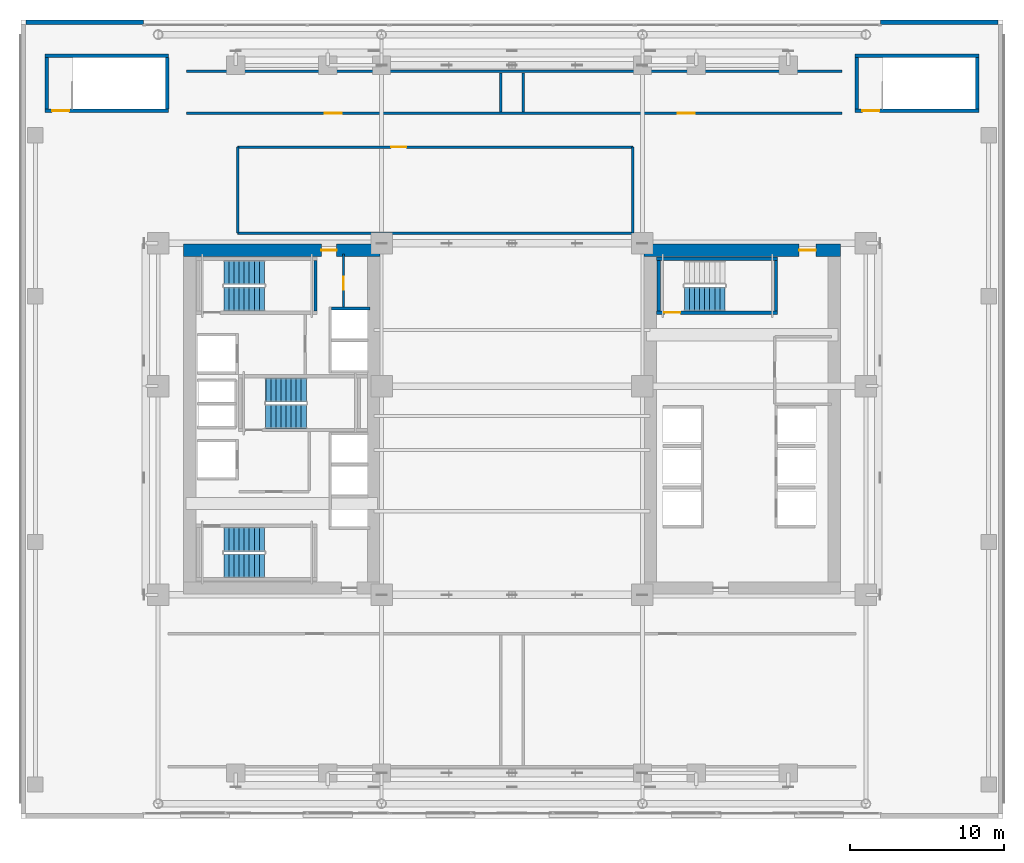
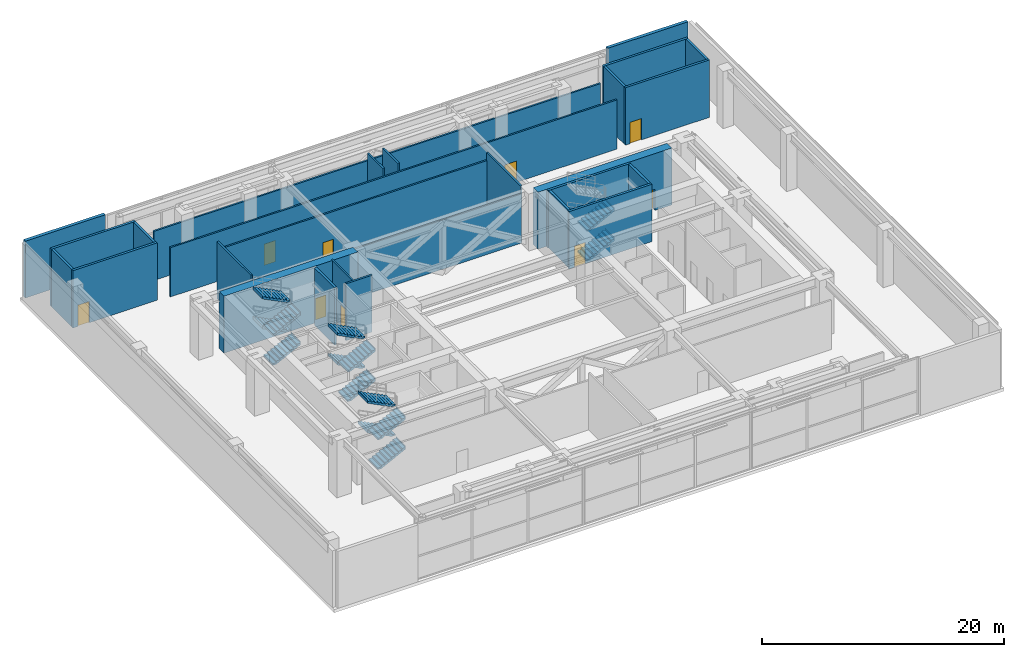
# One storey, part 23 of 29: 27 walls, 14 stair flights, 9 doors, 9 openings, 4 elements without a shape of their own.
"""IFC4 building model written with IfcOpenShell, lengths in metres."""

from ifc_helpers import new_model, si_unit, direction, frame, frame_2d, origin, place, context, subcontext, project, spatial, polyline, rectangle, outline, extrude, source, transform, mapped, material, layer, layer_set, type_object, element, fill, aggregate, save


model = new_model("IFC4")

# Units and contexts
model_context = context("Model", 3, precision=1e-05, world=origin(), true_north=direction((0.0, 1.0)))
body_context = subcontext(model_context, "Body", "Model", "MODEL_VIEW")
ifc_project = project(units=[si_unit("LENGTHUNIT", "METRE"), si_unit("AREAUNIT", "SQUARE_METRE"), si_unit("VOLUMEUNIT", "CUBIC_METRE"), si_unit("PLANEANGLEUNIT", "RADIAN"), si_unit("MASSUNIT", "GRAM", prefix="KILO")], contexts=[model_context])

# Site, building, storey
site_placement = place(None, origin())
site = spatial("IfcSite", under=ifc_project, at=site_placement, CompositionType="ELEMENT")
building_placement = place(site_placement, origin())
building = spatial("IfcBuilding", under=site, at=building_placement, Name="Ocotamira Hotel", CompositionType="ELEMENT")
storey_placement = place(building_placement, frame((0.0, 0.0, 28.800048828125)))
storey = spatial("IfcBuildingStorey", under=building, at=storey_placement, Name="L06", CompositionType="ELEMENT", Elevation=28.800048828125)

# Wall, opening, door
ifc_material_1 = material(Name="Concrete C60/75", Category="concrete")
ifc_layer_1 = layer(ifc_material_1, 0.800048828125)
ifc_layer_set_1 = layer_set([ifc_layer_1], Name="Concrete C60/75")
wall_type_1 = type_object("IfcWallType", Name="WL-CORE-800", PredefinedType="SHEAR", material=ifc_layer_set_1)
wall_1_placement = place(storey_placement, frame((10.60009765625, 37.0, 0.0), z_axis=(0.0, 0.0, 1.0), x_axis=(1.0, 0.0, 0.0)))
wall_1 = element("IfcWall", 1, at=wall_1_placement, inside=storey, type_object=wall_type_1, Name="L06 Shear Core Wall WCORE-N", PredefinedType="SHEAR", context=body_context, shape_type="SweptSolid", body=[
    extrude(rectangle(XDim=12.7998046875, YDim=0.800048828125, at=frame_2d((6.39990234375, 0.0))), origin(), (0.0, 0.0, 1.0), 5.75),
])
opening_1_placement = place(wall_1_placement, frame((8.97998046875, 0.0, 0.0)))
opening_1 = element("IfcOpeningElement", 2, at=opening_1_placement, cuts=wall_1, Name="Opening D-FR2", PredefinedType="OPENING", context=body_context, shape_type="SweptSolid", body=[
    extrude(rectangle(XDim=1.0, YDim=2.14990234375, at=frame_2d((0.5, 1.074951171875))), frame((0.0, 0.41015625, 0.0), z_axis=(0.0, -1.0, 0.0), x_axis=(1.0, 0.0, 0.0)), (0.0, 0.0, 1.0), 0.820068359375),
])
ifc_material_2 = material(Name="Fire-rated acoustic timber-veneer door", Category="wood")
door_type_1 = type_object("IfcDoorType", Name="DR-FIRE-1000", OperationType="NOTDEFINED", PredefinedType="DOOR", material=ifc_material_2)
shared_shape_1 = source(origin(), body_context, "Body", "SweptSolid", [
    extrude(rectangle(XDim=1.0, YDim=2.14990234375, at=frame_2d((0.5, 1.074951171875))), frame((0.0, 0.02490234375, 0.0), z_axis=(0.0, -1.0, 0.0), x_axis=(1.0, 0.0, 0.0)), (0.0, 0.0, 1.0), 0.050048828125),
])
door_1_placement = place(opening_1_placement, origin())
door_1 = element("IfcDoor", 3, at=door_1_placement, inside=storey, type_object=door_type_1, Name="L06 Door ID-L06-WLOB-N-D [ID-L06-WLOB-N-D]", OperationType="SINGLE_SWING_RIGHT", OverallHeight=2.14990234375, OverallWidth=1.0, PredefinedType="DOOR", context=body_context, shape_type="MappedRepresentation", body=[
    mapped(shared_shape_1, transform((0.0, 0.0, 0.0), scale=1.0)),
])
fill(opening_1, door_1)

wall_2_placement = place(storey_placement, frame((40.60009765625, 37.0, 0.0), z_axis=(0.0, 0.0, 1.0), x_axis=(1.0, 0.0, 0.0)))
wall_2 = element("IfcWall", 4, at=wall_2_placement, inside=storey, type_object=wall_type_1, Name="L06 Shear Core Wall ECORE-N", PredefinedType="SHEAR", context=body_context, shape_type="SweptSolid", body=[
    extrude(rectangle(XDim=12.7998046875, YDim=0.800048828125, at=frame_2d((6.39990234375, 0.0))), origin(), (0.0, 0.0, 1.0), 5.75),
])
opening_2_placement = place(wall_2_placement, frame((10.10009765625, 0.0, 0.0)))
opening_2 = element("IfcOpeningElement", 5, at=opening_2_placement, cuts=wall_2, Name="Opening D-FR1", PredefinedType="OPENING", context=body_context, shape_type="SweptSolid", body=[
    extrude(rectangle(XDim=1.10009765625, YDim=2.14990234375, at=frame_2d((0.550048828125, 1.074951171875))), frame((0.0, 0.41015625, 0.0), z_axis=(0.0, -1.0, 0.0), x_axis=(1.0, 0.0, 0.0)), (0.0, 0.0, 1.0), 0.820068359375),
])
door_type_2 = type_object("IfcDoorType", Name="DR-FIRE-1100", OperationType="NOTDEFINED", PredefinedType="DOOR", material=ifc_material_2)
shared_shape_2 = source(origin(), body_context, "Body", "SweptSolid", [
    extrude(rectangle(XDim=1.10009765625, YDim=2.14990234375, at=frame_2d((0.550048828125, 1.074951171875))), frame((0.0, 0.02490234375, 0.0), z_axis=(0.0, -1.0, 0.0), x_axis=(1.0, 0.0, 0.0)), (0.0, 0.0, 1.0), 0.050048828125),
])
door_2_placement = place(opening_2_placement, origin())
door_2 = element("IfcDoor", 6, at=door_2_placement, inside=storey, type_object=door_type_2, Name="L06 Door ID-L06-ELOB-N-D [ID-L06-ELOB-N-D]", OperationType="SINGLE_SWING_LEFT", OverallHeight=2.14990234375, OverallWidth=1.10009765625, PredefinedType="DOOR", context=body_context, shape_type="MappedRepresentation", body=[
    mapped(shared_shape_2, transform((0.0, 0.0, 0.0), scale=1.0)),
])
fill(opening_2, door_2)

# Walls
ifc_material_3 = material(Name="Travertine-clad precast concrete C45/55", Category="masonry")
ifc_layer_2 = layer(ifc_material_3, 0.300048828125)
ifc_layer_set_2 = layer_set([ifc_layer_2], Name="Travertine-clad precast concrete C45/55")
wall_type_2 = type_object("IfcWallType", Name="WL-EXT-POD-300", PredefinedType="SOLIDWALL", material=ifc_layer_set_2)
for number, where, z_axis, x_axis, name in (
    (7, (0.35009765625, 51.85009765625, 0.0), (0.0, 0.0, 1.0), (1.0, 0.0, 0.0), "L06 Podium Perimeter Wall N1"),
    (8, (56.0, 51.85009765625, 0.0), (0.0, 0.0, 1.0), (1.0, 0.0, 0.0), "L06 Podium Perimeter Wall N2"),
):
    element("IfcWall", number, at=place(storey_placement, frame(where, z_axis=z_axis, x_axis=x_axis)), inside=storey, type_object=wall_type_2, Name=name, PredefinedType="SOLIDWALL", context=body_context, shape_type="SweptSolid", body=[
        extrude(rectangle(XDim=7.64990234375, YDim=0.300048828125, at=frame_2d((3.824951171875, 0.0))), origin(), (0.0, 0.0, 1.0), 5.75),
    ])
ifc_material_4 = material(Name="Acoustic double-layer fire gypsum board partition", Category="gypsum")
ifc_layer_3 = layer(ifc_material_4, 0.159912109375)
ifc_layer_set_3 = layer_set([ifc_layer_3], Name="Acoustic double-layer fire gypsum board partition")
wall_type_3 = type_object("IfcWallType", Name="WL-FIRE-160", PredefinedType="PARTITIONING", material=ifc_layer_set_3)
wall_3_placement = place(storey_placement, frame((14.1201171875, 38.1201171875, 0.0), z_axis=(0.0, 0.0, 1.0), x_axis=(1.0, 0.0, 0.0)))
element("IfcWall", 9, at=wall_3_placement, inside=storey, type_object=wall_type_3, Name="L06 Interior Wall PW-L06-L06-BMSS", PredefinedType="PARTITIONING", context=body_context, shape_type="SweptSolid", body=[
    extrude(rectangle(XDim=25.759765625, YDim=0.159912109375, at=frame_2d((12.8798828125, 0.0))), origin(), (0.0, 0.0, 1.0), 4.970947265625),
])
for number, where, z_axis, x_axis, name in (
    (10, (14.1201171875, 38.1201171875, 0.0), (0.0, 0.0, 1.0), (0.0, 1.0, 0.0), "L06 Interior Wall PW-L06-L06-BMSW"),
    (11, (39.8798828125, 38.1201171875, 0.0), (0.0, 0.0, 1.0), (0.0, 1.0, 0.0), "L06 Interior Wall PW-L06-L06-BMSE"),
):
    element("IfcWall", number, at=place(storey_placement, frame(where, z_axis=z_axis, x_axis=x_axis)), inside=storey, type_object=wall_type_3, Name=name, PredefinedType="PARTITIONING", context=body_context, shape_type="SweptSolid", body=[
        extrude(rectangle(XDim=5.599853515625, YDim=0.159912109375, at=frame_2d((2.7998046875, 0.0))), origin(), (0.0, 0.0, 1.0), 5.75),
    ])

# Wall, opening, door
wall_4_placement = place(storey_placement, frame((14.1201171875, 43.719970703125, 0.0), z_axis=(0.0, 0.0, 1.0), x_axis=(1.0, 0.0, 0.0)))
wall_4 = element("IfcWall", 12, at=wall_4_placement, inside=storey, type_object=wall_type_3, Name="L06 Interior Wall PW-L06-L06-BMSN", PredefinedType="PARTITIONING", context=body_context, shape_type="SweptSolid", body=[
    extrude(rectangle(XDim=25.759765625, YDim=0.159912109375, at=frame_2d((12.8798828125, 0.0))), origin(), (0.0, 0.0, 1.0), 4.970947265625),
])
opening_3_placement = place(wall_4_placement, frame((10.0, 0.0, 0.0)))
opening_3 = element("IfcOpeningElement", 13, at=opening_3_placement, cuts=wall_4, Name="Opening D-FR2", PredefinedType="OPENING", context=body_context, shape_type="SweptSolid", body=[
    extrude(rectangle(XDim=1.0, YDim=2.14990234375, at=frame_2d((0.5, 1.074951171875))), frame((0.0, 0.08984375, 0.0), z_axis=(0.0, -1.0, 0.0), x_axis=(1.0, 0.0, 0.0)), (0.0, 0.0, 1.0), 0.179931640625),
])
door_3_placement = place(opening_3_placement, origin())
door_3 = element("IfcDoor", 14, at=door_3_placement, inside=storey, type_object=door_type_1, Name="L06 Door ID-L06-L06-BMSD [ID-L06-L06-BMSD]", OperationType="SINGLE_SWING_RIGHT", OverallHeight=2.14990234375, OverallWidth=1.0, PredefinedType="DOOR", context=body_context, shape_type="MappedRepresentation", body=[
    mapped(shared_shape_1, transform((0.0, 0.0, 0.0), scale=1.0)),
])
fill(opening_3, door_3)

# Walls
wall_5_placement = place(storey_placement, frame((10.800048828125, 48.64990234375, 0.0), z_axis=(0.0, 0.0, 1.0), x_axis=(1.0, 0.0, 0.0)))
element("IfcWall", 15, at=wall_5_placement, inside=storey, type_object=wall_type_3, Name="L06 Interior Wall PW-L06-L06-NTRS-WALL", PredefinedType="PARTITIONING", context=body_context, shape_type="SweptSolid", body=[
    extrude(rectangle(XDim=42.699951171875, YDim=0.159912109375, at=frame_2d((21.35009765625, 0.0))), origin(), (0.0, 0.0, 1.0), 4.970947265625),
])
for number, where, z_axis, x_axis, name in (
    (16, (31.280029296875, 46.0, 0.0), (0.0, 0.0, 1.0), (0.0, 1.0, 0.0), "L06 Interior Wall PW-L06-L06-NDIV1"),
    (17, (32.719970703125, 46.0, 0.0), (0.0, 0.0, 1.0), (0.0, 1.0, 0.0), "L06 Interior Wall PW-L06-L06-NDIV2"),
):
    element("IfcWall", number, at=place(storey_placement, frame(where, z_axis=z_axis, x_axis=x_axis)), inside=storey, type_object=wall_type_3, Name=name, PredefinedType="PARTITIONING", context=body_context, shape_type="SweptSolid", body=[
        extrude(rectangle(XDim=2.550048828125, YDim=0.159912109375, at=frame_2d((1.27490234375, 0.0))), origin(), (0.0, 0.0, 1.0), 5.75),
    ])

# Wall, openings, doors
wall_6_placement = place(storey_placement, frame((10.800048828125, 45.919921875, 0.0), z_axis=(0.0, 0.0, 1.0), x_axis=(1.0, 0.0, 0.0)))
wall_6 = element("IfcWall", 18, at=wall_6_placement, inside=storey, type_object=wall_type_3, Name="L06 Interior Wall PW-L06-L06-NWALL", PredefinedType="PARTITIONING", context=body_context, shape_type="SweptSolid", body=[
    extrude(rectangle(XDim=42.699951171875, YDim=0.159912109375, at=frame_2d((21.35009765625, 0.0))), origin(), (0.0, 0.0, 1.0), 4.970947265625),
])
opening_4_placement = place(wall_6_placement, frame((9.0, 0.0, 0.0)))
opening_4 = element("IfcOpeningElement", 19, at=opening_4_placement, cuts=wall_6, Name="Opening D-FR1", PredefinedType="OPENING", context=body_context, shape_type="SweptSolid", body=[
    extrude(rectangle(XDim=1.10009765625, YDim=2.14990234375, at=frame_2d((0.550048828125, 1.074951171875))), frame((0.0, 0.08984375, 0.0), z_axis=(0.0, -1.0, 0.0), x_axis=(1.0, 0.0, 0.0)), (0.0, 0.0, 1.0), 0.179931640625),
])
opening_5_placement = place(wall_6_placement, frame((32.0, 0.0, 0.0)))
opening_5 = element("IfcOpeningElement", 20, at=opening_5_placement, cuts=wall_6, Name="Opening D-FR1", PredefinedType="OPENING", context=body_context, shape_type="SweptSolid", body=[
    extrude(rectangle(XDim=1.10009765625, YDim=2.14990234375, at=frame_2d((0.550048828125, 1.074951171875))), frame((0.0, 0.08984375, 0.0), z_axis=(0.0, -1.0, 0.0), x_axis=(1.0, 0.0, 0.0)), (0.0, 0.0, 1.0), 0.179931640625),
])
door_4_placement = place(opening_4_placement, origin())
door_4 = element("IfcDoor", 21, at=door_4_placement, inside=storey, type_object=door_type_2, Name="L06 Door ID-L06-L06-ELD [ID-L06-L06-ELD]", OperationType="SINGLE_SWING_LEFT", OverallHeight=2.14990234375, OverallWidth=1.10009765625, PredefinedType="DOOR", context=body_context, shape_type="MappedRepresentation", body=[
    mapped(shared_shape_2, transform((0.0, 0.0, 0.0), scale=1.0)),
])
fill(opening_4, door_4)
door_5_placement = place(opening_5_placement, origin())
door_5 = element("IfcDoor", 22, at=door_5_placement, inside=storey, type_object=door_type_2, Name="L06 Door ID-L06-L06-HWD [ID-L06-L06-HWD]", OperationType="SINGLE_SWING_RIGHT", OverallHeight=2.14990234375, OverallWidth=1.10009765625, PredefinedType="DOOR", context=body_context, shape_type="MappedRepresentation", body=[
    mapped(shared_shape_2, transform((0.0, 0.0, 0.0), scale=1.0)),
])
fill(opening_5, door_5)

# Wall, opening, door
ifc_material_5 = material(Name="Acoustic hospitality gypsum board partition", Category="gypsum")
ifc_layer_4 = layer(ifc_material_5, 0.14208984375)
ifc_layer_set_4 = layer_set([ifc_layer_4], Name="Acoustic hospitality gypsum board partition")
wall_type_4 = type_object("IfcWallType", Name="WL-PART-142", PredefinedType="PARTITIONING", material=ifc_layer_set_4)
wall_7_placement = place(storey_placement, frame((21.02001953125, 33.280029296875, 0.0), z_axis=(0.0, 0.0, 1.0), x_axis=(0.0, 1.0, 0.0)))
wall_7 = element("IfcWall", 23, at=wall_7_placement, inside=storey, type_object=wall_type_4, Name="L06 Interior Wall PW-L06-WC-NE-W", PredefinedType="PARTITIONING", context=body_context, shape_type="SweptSolid", body=[
    extrude(rectangle(XDim=3.469970703125, YDim=0.14208984375, at=frame_2d((1.73486328125, 0.0))), origin(), (0.0, 0.0, 1.0), 5.75),
])
opening_6_placement = place(wall_7_placement, frame((1.14990234375, 0.0, 0.0)))
opening_6 = element("IfcOpeningElement", 24, at=opening_6_placement, cuts=wall_7, Name="Opening D-SV1", PredefinedType="OPENING", context=body_context, shape_type="SweptSolid", body=[
    extrude(rectangle(XDim=0.840087890625, YDim=2.10009765625, at=frame_2d((0.419921875, 1.050048828125))), frame((0.0, 0.0810546875, 0.0), z_axis=(0.0, -1.0, 0.0), x_axis=(1.0, 0.0, 0.0)), (0.0, 0.0, 1.0), 0.162109375),
])
ifc_material_6 = material(Name="Fire-rated painted steel service door", Category="steel")
door_type_3 = type_object("IfcDoorType", Name="DR-SERV-840", OperationType="NOTDEFINED", PredefinedType="DOOR", material=ifc_material_6)
shared_shape_3 = source(origin(), body_context, "Body", "SweptSolid", [
    extrude(rectangle(XDim=0.840087890625, YDim=2.10009765625, at=frame_2d((0.419921875, 1.050048828125))), frame((0.0, 0.02490234375, 0.0), z_axis=(0.0, -1.0, 0.0), x_axis=(1.0, 0.0, 0.0)), (0.0, 0.0, 1.0), 0.050048828125),
])
door_6_placement = place(opening_6_placement, origin())
door_6 = element("IfcDoor", 25, at=door_6_placement, inside=storey, type_object=door_type_3, Name="L06 Door ID-L06-WC-NE-D [ID-L06-WC-NE-D]", OperationType="SINGLE_SWING_LEFT", OverallHeight=2.10009765625, OverallWidth=0.840087890625, PredefinedType="DOOR", context=body_context, shape_type="MappedRepresentation", body=[
    mapped(shared_shape_3, transform((0.0, 0.0, 0.0), scale=1.0)),
])
fill(opening_6, door_6)

# Walls
ifc_material_7 = material(Name="Fire-rated gypsum shaftliner board assembly", Category="gypsum")
ifc_layer_5 = layer(ifc_material_7, 0.179931640625)
ifc_layer_set_5 = layer_set([ifc_layer_5], Name="Fire-rated gypsum shaftliner board assembly")
wall_type_5 = type_object("IfcWallType", Name="WL-SHAFT-180", PredefinedType="SOLIDWALL", material=ifc_layer_set_5)
wall_8_placement = place(storey_placement, frame((20.25, 33.199951171875, 0.0), z_axis=(0.0, 0.0, 1.0), x_axis=(1.0, 0.0, 0.0)))
element("IfcWall", 26, at=wall_8_placement, inside=storey, type_object=wall_type_5, Name="L06 Interior Wall PW-L06-LFW-BANK-obs-N", PredefinedType="SOLIDWALL", context=body_context, shape_type="SweptSolid", body=[
    extrude(rectangle(XDim=2.5, YDim=0.179931640625, at=frame_2d((1.25, 0.0))), origin(), (0.0, 0.0, 1.0), 5.75),
])
ifc_material_8 = material(Name="Concrete C50/60", Category="concrete")
ifc_layer_6 = layer(ifc_material_8, 0.219970703125)
ifc_layer_set_6 = layer_set([ifc_layer_6], Name="Concrete C50/60")
wall_type_6 = type_object("IfcWallType", Name="WL-STAIR-220", PredefinedType="SHEAR", material=ifc_layer_set_6)
wall_9_placement = place(storey_placement, frame((19.199951171875, 33.050048828125, 0.0), z_axis=(0.0, 0.0, 1.0), x_axis=(0.0, 1.0, 0.0)))
element("IfcWall", 27, at=wall_9_placement, inside=storey, type_object=wall_type_6, Name="L06 Stair Shaft Structural Wall ST-2-E", PredefinedType="SHEAR", context=body_context, shape_type="SweptSolid", body=[
    extrude(rectangle(XDim=3.280029296875, YDim=0.219970703125, at=frame_2d((1.64013671875, 0.0))), origin(), (0.0, 0.0, 1.0), 5.800048828125),
])

# Wall, opening, door
wall_10_placement = place(storey_placement, frame((41.39990234375, 32.93994140625, 0.0), z_axis=(0.0, 0.0, 1.0), x_axis=(1.0, 0.0, 0.0)))
wall_10 = element("IfcWall", 28, at=wall_10_placement, inside=storey, type_object=wall_type_6, Name="L06 Stair Shaft Structural Wall ST-4-S", PredefinedType="SHEAR", context=body_context, shape_type="SweptSolid", body=[
    extrude(rectangle(XDim=7.91015625, YDim=0.219970703125, at=frame_2d((3.955078125, 0.0))), origin(), (0.0, 0.0, 1.0), 5.800048828125),
])
opening_7_placement = place(wall_10_placement, frame((0.52001953125, 0.0, 0.0)))
opening_7 = element("IfcOpeningElement", 29, at=opening_7_placement, cuts=wall_10, Name="Opening D-ST2", PredefinedType="OPENING", context=body_context, shape_type="SweptSolid", body=[
    extrude(rectangle(XDim=1.050048828125, YDim=2.14990234375, at=frame_2d((0.52490234375, 1.074951171875))), frame((0.0, 0.1201171875, 0.0), z_axis=(0.0, -1.0, 0.0), x_axis=(1.0, 0.0, 0.0)), (0.0, 0.0, 1.0), 0.239990234375),
])
ifc_material_9 = material(Name="Insulated painted hollow-metal fire exit door", Category="steel")
door_type_4 = type_object("IfcDoorType", Name="DR-STAIR-1050", OperationType="NOTDEFINED", PredefinedType="DOOR", material=ifc_material_9)
shared_shape_4 = source(origin(), body_context, "Body", "SweptSolid", [
    extrude(rectangle(XDim=1.050048828125, YDim=2.14990234375, at=frame_2d((0.52490234375, 1.074951171875))), frame((0.0, 0.02490234375, 0.0), z_axis=(0.0, -1.0, 0.0), x_axis=(1.0, 0.0, 0.0)), (0.0, 0.0, 1.0), 0.050048828125),
])
door_7_placement = place(opening_7_placement, origin())
door_7 = element("IfcDoor", 30, at=door_7_placement, inside=storey, type_object=door_type_4, Name="L06 Door ID-L06-STD-ST-4 [ID-L06-STD-ST-4]", OperationType="SINGLE_SWING_RIGHT", OverallHeight=2.14990234375, OverallWidth=1.050048828125, PredefinedType="DOOR", context=body_context, shape_type="MappedRepresentation", body=[
    mapped(shared_shape_4, transform((0.0, 0.0, 0.0), scale=1.0)),
])
fill(opening_7, door_7)

# Walls
wall_11_placement = place(storey_placement, frame((41.39990234375, 36.43994140625, 0.0), z_axis=(0.0, 0.0, 1.0), x_axis=(1.0, 0.0, 0.0)))
element("IfcWall", 31, at=wall_11_placement, inside=storey, type_object=wall_type_6, Name="L06 Stair Shaft Structural Wall ST-4-N", PredefinedType="SHEAR", context=body_context, shape_type="SweptSolid", body=[
    extrude(rectangle(XDim=7.91015625, YDim=0.219970703125, at=frame_2d((3.955078125, 0.0))), origin(), (0.0, 0.0, 1.0), 5.800048828125),
])
for number, where, z_axis, x_axis, name in (
    (32, (41.56005859375, 33.050048828125, 0.0), (0.0, 0.0, 1.0), (0.0, 1.0, 0.0), "L06 Stair Shaft Structural Wall ST-4-W"),
    (33, (49.199951171875, 33.050048828125, 0.0), (0.0, 0.0, 1.0), (0.0, 1.0, 0.0), "L06 Stair Shaft Structural Wall ST-4-E"),
):
    element("IfcWall", number, at=place(storey_placement, frame(where, z_axis=z_axis, x_axis=x_axis)), inside=storey, type_object=wall_type_6, Name=name, PredefinedType="SHEAR", context=body_context, shape_type="SweptSolid", body=[
        extrude(rectangle(XDim=3.280029296875, YDim=0.219970703125, at=frame_2d((1.64013671875, 0.0))), origin(), (0.0, 0.0, 1.0), 5.800048828125),
    ])

# Wall, opening, door
wall_12_placement = place(storey_placement, frame((1.580078125, 46.090087890625, 0.0), z_axis=(0.0, 0.0, 1.0), x_axis=(1.0, 0.0, 0.0)))
wall_12 = element("IfcWall", 34, at=wall_12_placement, inside=storey, type_object=wall_type_6, Name="L06 Stair Shaft Structural Wall ST-5-S", PredefinedType="SHEAR", context=body_context, shape_type="SweptSolid", body=[
    extrude(rectangle(XDim=8.059814453125, YDim=0.219970703125, at=frame_2d((4.02978515625, 0.0))), origin(), (0.0, 0.0, 1.0), 5.800048828125),
])
opening_8_placement = place(wall_12_placement, frame((0.469970703125, 0.0, 0.0)))
opening_8 = element("IfcOpeningElement", 35, at=opening_8_placement, cuts=wall_12, Name="Opening D-ST1", PredefinedType="OPENING", context=body_context, shape_type="SweptSolid", body=[
    extrude(rectangle(XDim=1.10009765625, YDim=2.14990234375, at=frame_2d((0.550048828125, 1.074951171875))), frame((0.0, 0.1201171875, 0.0), z_axis=(0.0, -1.0, 0.0), x_axis=(1.0, 0.0, 0.0)), (0.0, 0.0, 1.0), 0.239990234375),
])
door_type_5 = type_object("IfcDoorType", Name="DR-STAIR-1100", OperationType="NOTDEFINED", PredefinedType="DOOR", material=ifc_material_9)
door_8_placement = place(opening_8_placement, origin())
door_8 = element("IfcDoor", 36, at=door_8_placement, inside=storey, type_object=door_type_5, Name="L06 Door ID-L06-STD-ST-5 [ID-L06-STD-ST-5]", OperationType="SINGLE_SWING_LEFT", OverallHeight=2.14990234375, OverallWidth=1.10009765625, PredefinedType="DOOR", context=body_context, shape_type="MappedRepresentation", body=[
    mapped(shared_shape_2, transform((0.0, 0.0, 0.0), scale=1.0)),
])
fill(opening_8, door_8)

# Walls
wall_13_placement = place(storey_placement, frame((1.580078125, 49.669921875, 0.0), z_axis=(0.0, 0.0, 1.0), x_axis=(1.0, 0.0, 0.0)))
element("IfcWall", 37, at=wall_13_placement, inside=storey, type_object=wall_type_6, Name="L06 Stair Shaft Structural Wall ST-5-N", PredefinedType="SHEAR", context=body_context, shape_type="SweptSolid", body=[
    extrude(rectangle(XDim=8.059814453125, YDim=0.219970703125, at=frame_2d((4.02978515625, 0.0))), origin(), (0.0, 0.0, 1.0), 5.800048828125),
])
for number, where, z_axis, x_axis, name in (
    (38, (1.68994140625, 46.199951171875, 0.0), (0.0, 0.0, 1.0), (0.0, 1.0, 0.0), "L06 Stair Shaft Structural Wall ST-5-W"),
    (39, (9.530029296875, 46.199951171875, 0.0), (0.0, 0.0, 1.0), (0.0, 1.0, 0.0), "L06 Stair Shaft Structural Wall ST-5-E"),
):
    element("IfcWall", number, at=place(storey_placement, frame(where, z_axis=z_axis, x_axis=x_axis)), inside=storey, type_object=wall_type_6, Name=name, PredefinedType="SHEAR", context=body_context, shape_type="SweptSolid", body=[
        extrude(rectangle(XDim=3.360107421875, YDim=0.219970703125, at=frame_2d((1.68017578125, 0.0))), origin(), (0.0, 0.0, 1.0), 5.800048828125),
    ])

# Wall, opening, door
wall_14_placement = place(storey_placement, frame((54.360107421875, 46.090087890625, 0.0), z_axis=(0.0, 0.0, 1.0), x_axis=(1.0, 0.0, 0.0)))
wall_14 = element("IfcWall", 40, at=wall_14_placement, inside=storey, type_object=wall_type_6, Name="L06 Stair Shaft Structural Wall ST-6-S", PredefinedType="SHEAR", context=body_context, shape_type="SweptSolid", body=[
    extrude(rectangle(XDim=8.059814453125, YDim=0.219970703125, at=frame_2d((4.02978515625, 0.0))), origin(), (0.0, 0.0, 1.0), 5.800048828125),
])
opening_9_placement = place(wall_14_placement, frame((0.469970703125, 0.0, 0.0)))
opening_9 = element("IfcOpeningElement", 41, at=opening_9_placement, cuts=wall_14, Name="Opening D-ST1", PredefinedType="OPENING", context=body_context, shape_type="SweptSolid", body=[
    extrude(rectangle(XDim=1.10009765625, YDim=2.14990234375, at=frame_2d((0.550048828125, 1.074951171875))), frame((0.0, 0.1201171875, 0.0), z_axis=(0.0, -1.0, 0.0), x_axis=(1.0, 0.0, 0.0)), (0.0, 0.0, 1.0), 0.239990234375),
])
door_9_placement = place(opening_9_placement, origin())
door_9 = element("IfcDoor", 42, at=door_9_placement, inside=storey, type_object=door_type_5, Name="L06 Door ID-L06-STD-ST-6 [ID-L06-STD-ST-6]", OperationType="SINGLE_SWING_RIGHT", OverallHeight=2.14990234375, OverallWidth=1.10009765625, PredefinedType="DOOR", context=body_context, shape_type="MappedRepresentation", body=[
    mapped(shared_shape_2, transform((0.0, 0.0, 0.0), scale=1.0)),
])
fill(opening_9, door_9)

# Walls
wall_15_placement = place(storey_placement, frame((54.360107421875, 49.669921875, 0.0), z_axis=(0.0, 0.0, 1.0), x_axis=(1.0, 0.0, 0.0)))
element("IfcWall", 43, at=wall_15_placement, inside=storey, type_object=wall_type_6, Name="L06 Stair Shaft Structural Wall ST-6-N", PredefinedType="SHEAR", context=body_context, shape_type="SweptSolid", body=[
    extrude(rectangle(XDim=8.059814453125, YDim=0.219970703125, at=frame_2d((4.02978515625, 0.0))), origin(), (0.0, 0.0, 1.0), 5.800048828125),
])
for number, where, z_axis, x_axis, name in (
    (44, (54.469970703125, 46.199951171875, 0.0), (0.0, 0.0, 1.0), (0.0, 1.0, 0.0), "L06 Stair Shaft Structural Wall ST-6-W"),
    (45, (62.31005859375, 46.199951171875, 0.0), (0.0, 0.0, 1.0), (0.0, 1.0, 0.0), "L06 Stair Shaft Structural Wall ST-6-E"),
):
    element("IfcWall", number, at=place(storey_placement, frame(where, z_axis=z_axis, x_axis=x_axis)), inside=storey, type_object=wall_type_6, Name=name, PredefinedType="SHEAR", context=body_context, shape_type="SweptSolid", body=[
        extrude(rectangle(XDim=3.360107421875, YDim=0.219970703125, at=frame_2d((1.68017578125, 0.0))), origin(), (0.0, 0.0, 1.0), 5.800048828125),
    ])

# Stair, stair flights
ifc_material_10 = material(Name="Concrete C40/50", Category="concrete")
stair_type = type_object("IfcStairType", Name="ST-CORE-1560", PredefinedType="HALF_TURN_STAIR", material=ifc_material_10)
stair_1_placement = place(storey_placement, origin())
stair_1 = element("IfcStair", 46, at=stair_1_placement, inside=storey, type_object=stair_type, Name="L06 Exit Stair ST-1", PredefinedType="HALF_TURN_STAIR")
stair_flight_type = type_object("IfcStairFlightType", Name="STF-CORE-1560", PredefinedType="STRAIGHT", material=ifc_material_10)
shared_shape_5 = source(origin(), body_context, "Body", "SweptSolid", [
    extrude(outline(polyline([(-0.00390625, 0.0), (-0.00390625, 0.166748046875), (0.330078125, 0.166748046875), (0.330078125, 0.333251953125), (0.659912109375, 0.333251953125), (0.659912109375, 0.5), (0.989990234375, 0.5), (0.989990234375, 0.666748046875), (1.320068359375, 0.666748046875), (1.320068359375, 0.833251953125), (1.64990234375, 0.833251953125), (1.64990234375, 1.0), (1.97998046875, 1.0), (1.97998046875, 1.166748046875), (2.31005859375, 1.166748046875), (2.31005859375, 1.333251953125), (2.639892578125, 1.333251953125), (2.639892578125, 1.5), (2.64404296875, 1.5), (2.64404296875, 1.165283203125), (0.33251953125, 0.0), (-0.00390625, 0.0)])), frame((0.0, 0.780029296875, 0.0), z_axis=(0.0, -1.0, 0.0), x_axis=(1.0, 0.0, 0.0)), (0.0, 0.0, 1.0), 1.56005859375),
])
stair_flight_1_placement = place(storey_placement, frame((13.22998046875, 16.449951171875, 0.0), z_axis=(0.0, 0.0, 1.0), x_axis=(1.0, 0.0, 0.0)))
stair_flight_1 = element("IfcStairFlight", 47, at=stair_flight_1_placement, type_object=stair_flight_type, Name="ST-1 flight 1", NumberOfRisers=9, NumberOfTreads=8, PredefinedType="STRAIGHT", RiserHeight=0.166666667, TreadLength=0.33, context=body_context, shape_type="MappedRepresentation", body=[
    mapped(shared_shape_5, transform((0.0, 0.0, 0.0), scale=1.0)),
])
stair_flight_2_placement = place(storey_placement, frame((15.8701171875, 18.169921875, 1.5), z_axis=(0.0, 0.0, 1.0), x_axis=(-1.0, 0.0, 0.0)))
stair_flight_2 = element("IfcStairFlight", 48, at=stair_flight_2_placement, type_object=stair_flight_type, Name="ST-1 flight 2", NumberOfRisers=9, NumberOfTreads=8, PredefinedType="STRAIGHT", RiserHeight=0.166666667, TreadLength=0.33, context=body_context, shape_type="MappedRepresentation", body=[
    mapped(shared_shape_5, transform((0.0, 0.0, 0.0), scale=1.0)),
])
stair_flight_3_placement = place(storey_placement, frame((13.22998046875, 16.449951171875, 3.0), z_axis=(0.0, 0.0, 1.0), x_axis=(1.0, 0.0, 0.0)))
stair_flight_3 = element("IfcStairFlight", 49, at=stair_flight_3_placement, type_object=stair_flight_type, Name="ST-1 flight 3", NumberOfRisers=9, NumberOfTreads=8, PredefinedType="STRAIGHT", RiserHeight=0.166666667, TreadLength=0.33, context=body_context, shape_type="MappedRepresentation", body=[
    mapped(shared_shape_5, transform((0.0, 0.0, 0.0), scale=1.0)),
])
stair_flight_4_placement = place(storey_placement, frame((15.8701171875, 18.169921875, 4.5), z_axis=(0.0, 0.0, 1.0), x_axis=(-1.0, 0.0, 0.0)))
stair_flight_4 = element("IfcStairFlight", 50, at=stair_flight_4_placement, type_object=stair_flight_type, Name="ST-1 flight 4", NumberOfRisers=9, NumberOfTreads=8, PredefinedType="STRAIGHT", RiserHeight=0.166666667, TreadLength=0.33, context=body_context, shape_type="MappedRepresentation", body=[
    mapped(shared_shape_5, transform((0.0, 0.0, 0.0), scale=1.0)),
])
aggregate(stair_1, [stair_flight_1, stair_flight_2, stair_flight_3, stair_flight_4])

stair_2_placement = place(storey_placement, origin())
stair_2 = element("IfcStair", 51, at=stair_2_placement, inside=storey, type_object=stair_type, Name="L06 Exit Stair ST-2", PredefinedType="HALF_TURN_STAIR")
stair_flight_5_placement = place(storey_placement, frame((13.22998046875, 33.830078125, 0.0), z_axis=(0.0, 0.0, 1.0), x_axis=(1.0, 0.0, 0.0)))
stair_flight_5 = element("IfcStairFlight", 52, at=stair_flight_5_placement, type_object=stair_flight_type, Name="ST-2 flight 1", NumberOfRisers=9, NumberOfTreads=8, PredefinedType="STRAIGHT", RiserHeight=0.166666667, TreadLength=0.33, context=body_context, shape_type="MappedRepresentation", body=[
    mapped(shared_shape_5, transform((0.0, 0.0, 0.0), scale=1.0)),
])
stair_flight_6_placement = place(storey_placement, frame((15.8701171875, 35.550048828125, 1.5), z_axis=(0.0, 0.0, 1.0), x_axis=(-1.0, 0.0, 0.0)))
stair_flight_6 = element("IfcStairFlight", 53, at=stair_flight_6_placement, type_object=stair_flight_type, Name="ST-2 flight 2", NumberOfRisers=9, NumberOfTreads=8, PredefinedType="STRAIGHT", RiserHeight=0.166666667, TreadLength=0.33, context=body_context, shape_type="MappedRepresentation", body=[
    mapped(shared_shape_5, transform((0.0, 0.0, 0.0), scale=1.0)),
])
stair_flight_7_placement = place(storey_placement, frame((13.22998046875, 33.830078125, 3.0), z_axis=(0.0, 0.0, 1.0), x_axis=(1.0, 0.0, 0.0)))
stair_flight_7 = element("IfcStairFlight", 54, at=stair_flight_7_placement, type_object=stair_flight_type, Name="ST-2 flight 3", NumberOfRisers=9, NumberOfTreads=8, PredefinedType="STRAIGHT", RiserHeight=0.166666667, TreadLength=0.33, context=body_context, shape_type="MappedRepresentation", body=[
    mapped(shared_shape_5, transform((0.0, 0.0, 0.0), scale=1.0)),
])
stair_flight_8_placement = place(storey_placement, frame((15.8701171875, 35.550048828125, 4.5), z_axis=(0.0, 0.0, 1.0), x_axis=(-1.0, 0.0, 0.0)))
stair_flight_8 = element("IfcStairFlight", 55, at=stair_flight_8_placement, type_object=stair_flight_type, Name="ST-2 flight 4", NumberOfRisers=9, NumberOfTreads=8, PredefinedType="STRAIGHT", RiserHeight=0.166666667, TreadLength=0.33, context=body_context, shape_type="MappedRepresentation", body=[
    mapped(shared_shape_5, transform((0.0, 0.0, 0.0), scale=1.0)),
])
aggregate(stair_2, [stair_flight_5, stair_flight_6, stair_flight_7, stair_flight_8])

stair_3_placement = place(storey_placement, origin())
stair_3 = element("IfcStair", 56, at=stair_3_placement, inside=storey, type_object=stair_type, Name="L06 Exit Stair ST-3", PredefinedType="HALF_TURN_STAIR")
stair_flight_9_placement = place(storey_placement, frame((15.9599609375, 26.179931640625, 0.0), z_axis=(0.0, 0.0, 1.0), x_axis=(1.0, 0.0, 0.0)))
stair_flight_9 = element("IfcStairFlight", 57, at=stair_flight_9_placement, type_object=stair_flight_type, Name="ST-3 flight 1", NumberOfRisers=9, NumberOfTreads=8, PredefinedType="STRAIGHT", RiserHeight=0.166666667, TreadLength=0.33, context=body_context, shape_type="MappedRepresentation", body=[
    mapped(shared_shape_5, transform((0.0, 0.0, 0.0), scale=1.0)),
])
stair_flight_10_placement = place(storey_placement, frame((18.60009765625, 27.89990234375, 1.5), z_axis=(0.0, 0.0, 1.0), x_axis=(-1.0, 0.0, 0.0)))
stair_flight_10 = element("IfcStairFlight", 58, at=stair_flight_10_placement, type_object=stair_flight_type, Name="ST-3 flight 2", NumberOfRisers=9, NumberOfTreads=8, PredefinedType="STRAIGHT", RiserHeight=0.166666667, TreadLength=0.33, context=body_context, shape_type="MappedRepresentation", body=[
    mapped(shared_shape_5, transform((0.0, 0.0, 0.0), scale=1.0)),
])
stair_flight_11_placement = place(storey_placement, frame((15.9599609375, 26.179931640625, 3.0), z_axis=(0.0, 0.0, 1.0), x_axis=(1.0, 0.0, 0.0)))
stair_flight_11 = element("IfcStairFlight", 59, at=stair_flight_11_placement, type_object=stair_flight_type, Name="ST-3 flight 3", NumberOfRisers=9, NumberOfTreads=8, PredefinedType="STRAIGHT", RiserHeight=0.166666667, TreadLength=0.33, context=body_context, shape_type="MappedRepresentation", body=[
    mapped(shared_shape_5, transform((0.0, 0.0, 0.0), scale=1.0)),
])
stair_flight_12_placement = place(storey_placement, frame((18.60009765625, 27.89990234375, 4.5), z_axis=(0.0, 0.0, 1.0), x_axis=(-1.0, 0.0, 0.0)))
stair_flight_12 = element("IfcStairFlight", 60, at=stair_flight_12_placement, type_object=stair_flight_type, Name="ST-3 flight 4", NumberOfRisers=9, NumberOfTreads=8, PredefinedType="STRAIGHT", RiserHeight=0.166666667, TreadLength=0.33, context=body_context, shape_type="MappedRepresentation", body=[
    mapped(shared_shape_5, transform((0.0, 0.0, 0.0), scale=1.0)),
])
aggregate(stair_3, [stair_flight_9, stair_flight_10, stair_flight_11, stair_flight_12])

stair_4_placement = place(storey_placement, origin())
stair_4 = element("IfcStair", 61, at=stair_4_placement, inside=storey, type_object=stair_type, Name="L06 Exit Stair ST-4", PredefinedType="HALF_TURN_STAIR")
stair_flight_13_placement = place(storey_placement, frame((43.22998046875, 33.830078125, 0.0), z_axis=(0.0, 0.0, 1.0), x_axis=(1.0, 0.0, 0.0)))
stair_flight_13 = element("IfcStairFlight", 62, at=stair_flight_13_placement, type_object=stair_flight_type, Name="ST-4 flight 1", NumberOfRisers=9, NumberOfTreads=8, PredefinedType="STRAIGHT", RiserHeight=0.166666667, TreadLength=0.33, context=body_context, shape_type="MappedRepresentation", body=[
    mapped(shared_shape_5, transform((0.0, 0.0, 0.0), scale=1.0)),
])
stair_flight_14_placement = place(storey_placement, frame((43.22998046875, 33.830078125, 3.0), z_axis=(0.0, 0.0, 1.0), x_axis=(1.0, 0.0, 0.0)))
stair_flight_14 = element("IfcStairFlight", 63, at=stair_flight_14_placement, type_object=stair_flight_type, Name="ST-4 flight 3", NumberOfRisers=9, NumberOfTreads=8, PredefinedType="STRAIGHT", RiserHeight=0.166666667, TreadLength=0.33, context=body_context, shape_type="MappedRepresentation", body=[
    mapped(shared_shape_5, transform((0.0, 0.0, 0.0), scale=1.0)),
])
aggregate(stair_4, [stair_flight_13, stair_flight_14])

save(model, "model.ifc")
